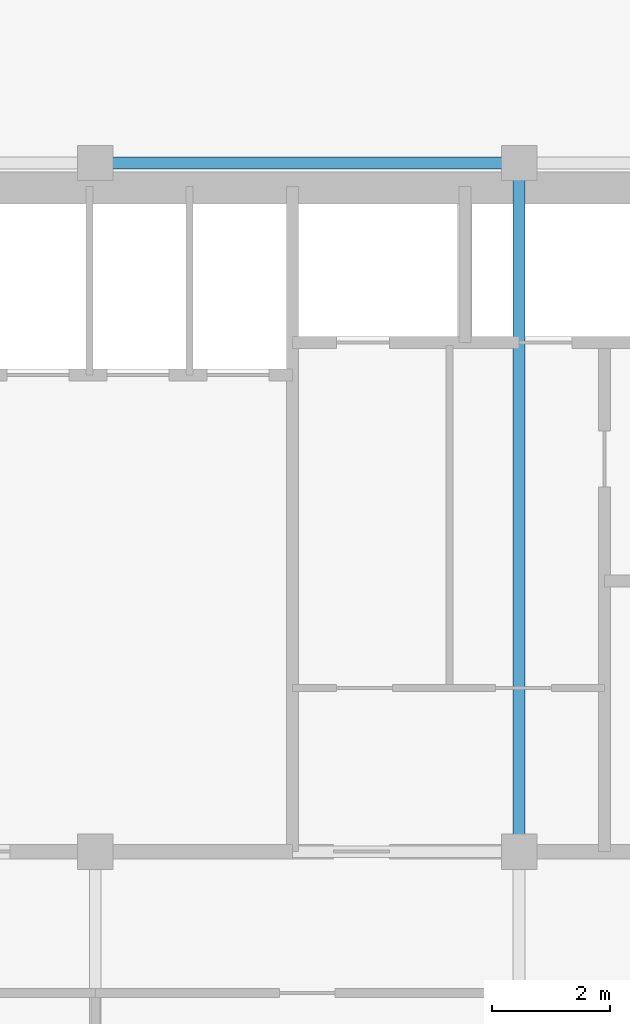
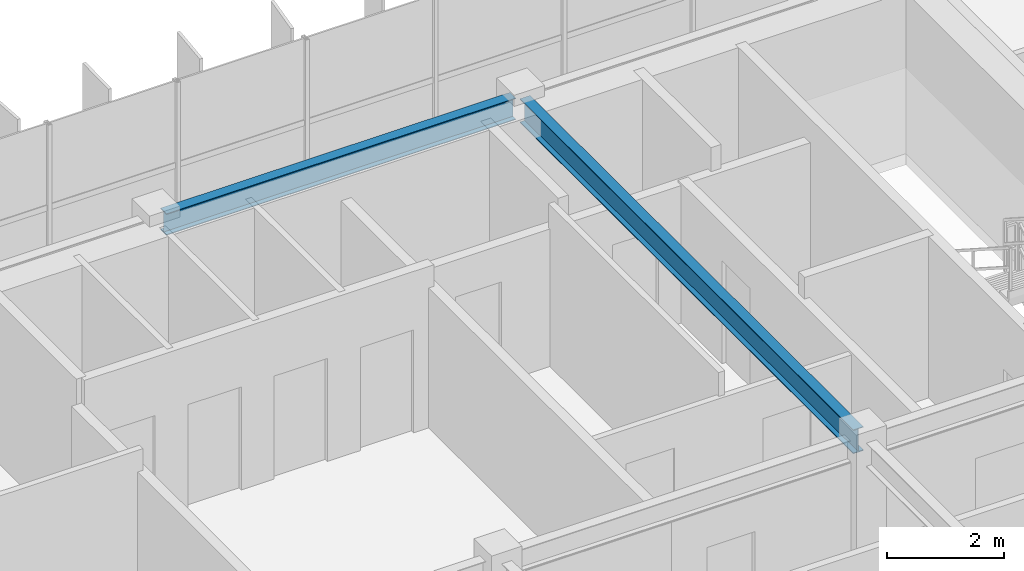
# One storey, part 10 of 22: 2 beams.
"""IFC4 building model written with IfcOpenShell, lengths in metres."""

from ifc_helpers import new_model, si_unit, direction, frame, origin, origin_2d, place, context, subcontext, project, spatial, i_section, extrude, source, transform, mapped, material, material_profile, profile_set, type_object, element, save


model = new_model("IFC4")

# Units and contexts
model_context = context("Model", 3, precision=1e-05, world=origin(), true_north=direction((0.0, 1.0)))
body_context = subcontext(model_context, "Body", "Model", "MODEL_VIEW")
ifc_project = project(units=[si_unit("LENGTHUNIT", "METRE"), si_unit("AREAUNIT", "SQUARE_METRE"), si_unit("VOLUMEUNIT", "CUBIC_METRE"), si_unit("PLANEANGLEUNIT", "RADIAN"), si_unit("MASSUNIT", "GRAM", prefix="KILO")], contexts=[model_context])

# Site, building, storey
site_placement = place(None, origin())
site = spatial("IfcSite", under=ifc_project, at=site_placement, CompositionType="ELEMENT")
building_placement = place(site_placement, origin())
building = spatial("IfcBuilding", under=site, at=building_placement, Name="Trelvane Seafront Commons", CompositionType="ELEMENT")
storey_placement = place(building_placement, frame((0.0, 0.0, 273.89990234375)))
storey = spatial("IfcBuildingStorey", under=building, at=storey_placement, Name="L71", CompositionType="ELEMENT", Elevation=273.89990234375)

# Beams
ifc_material = material(Name="Steel SM355 (S355)", Category="steel")
ifc_material_profile_1 = material_profile(ifc_material, i_section(OverallWidth=0.199951171875, OverallDepth=0.5, WebThickness=0.010009765625, FlangeThickness=0.01611328125, at=origin_2d()), Name="H-500x200x10x16")
ifc_profile_set_1 = profile_set([ifc_material_profile_1], Name="Steel SM355 (S355)")
beam_type_1 = type_object("IfcBeamType", Name="STR-BM-H500", PredefinedType="BEAM", material=ifc_profile_set_1)
shared_shape_1 = source(origin(), body_context, "Body", "SweptSolid", [
    extrude(i_section(OverallWidth=0.199951171875, OverallDepth=0.5, WebThickness=0.010009765625, FlangeThickness=0.01611328125, at=origin_2d()), origin(), (0.0, 0.0, 1.0), 11.39990234375),
])
beam_1_placement = place(storey_placement, frame((51.0, 33.550048828125, 3.1201171875), z_axis=(0.0, 1.0, 0.0), x_axis=(-1.0, 0.0, 0.0)))
element("IfcBeam", 1, at=beam_1_placement, inside=storey, type_object=beam_type_1, Name="L71 Primary Girder G-46", PredefinedType="BEAM", context=body_context, shape_type="MappedRepresentation", body=[
    mapped(shared_shape_1, transform((0.0, 0.0, 0.0), x_axis=(1.0, 0.0, 0.0), y_axis=(0.0, 1.0, 0.0), z_axis=(0.0, 0.0, 1.0), scale=1.0)),
])
ifc_material_profile_2 = material_profile(ifc_material, i_section(OverallWidth=0.199951171875, OverallDepth=0.449951171875, WebThickness=0.009033203125, FlangeThickness=0.013916015625, at=origin_2d()), Name="H-450x200x9x14")
ifc_profile_set_2 = profile_set([ifc_material_profile_2], Name="Steel SM355 (S355)")
beam_type_2 = type_object("IfcBeamType", Name="STR-SPD-H450", PredefinedType="SPANDREL", material=ifc_profile_set_2)
shared_shape_2 = source(origin(), body_context, "Body", "SweptSolid", [
    extrude(i_section(OverallWidth=0.199951171875, OverallDepth=0.449951171875, WebThickness=0.009033203125, FlangeThickness=0.013916015625, at=origin_2d()), origin(), (0.0, 0.0, 1.0), 6.900146484375),
])
beam_2_placement = place(storey_placement, frame((43.949951171875, 45.10009765625, 3.14501953125), z_axis=(1.0, 0.0, 0.0), x_axis=(0.0, 1.0, 0.0)))
element("IfcBeam", 2, at=beam_2_placement, inside=storey, type_object=beam_type_2, Name="L71 Primary Girder G-26", PredefinedType="SPANDREL", context=body_context, shape_type="MappedRepresentation", body=[
    mapped(shared_shape_2, transform((0.0, 0.0, 0.0), x_axis=(1.0, 0.0, 0.0), y_axis=(0.0, 1.0, 0.0), z_axis=(0.0, 0.0, 1.0), scale=1.0)),
])

save(model, "model.ifc")
